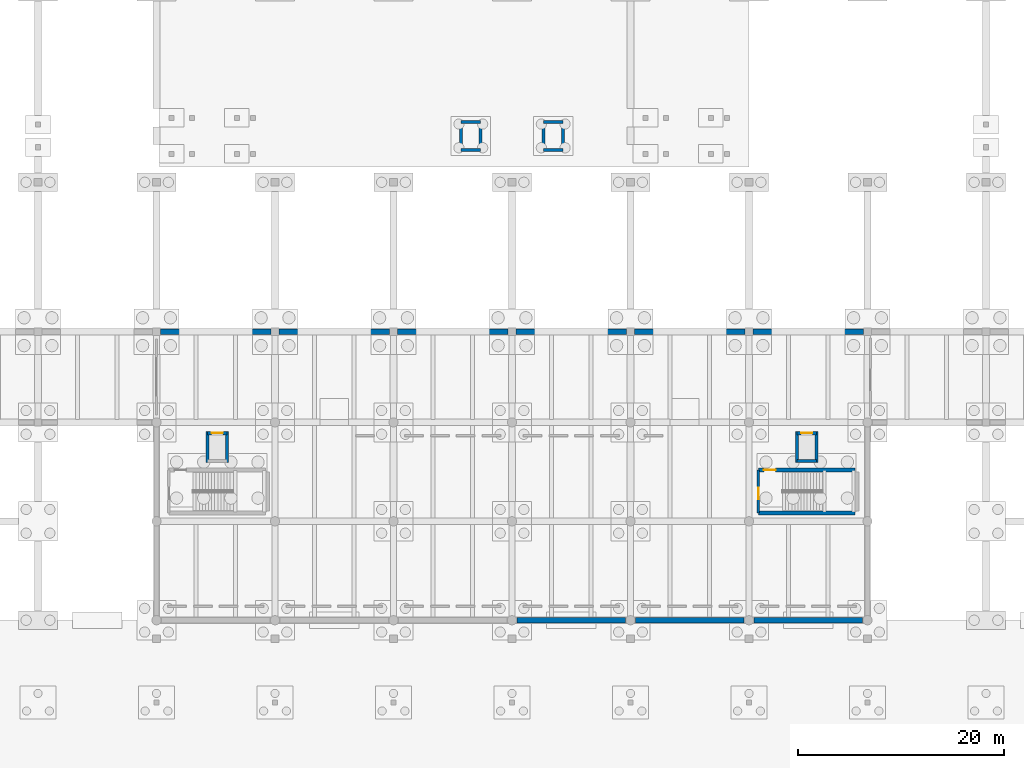
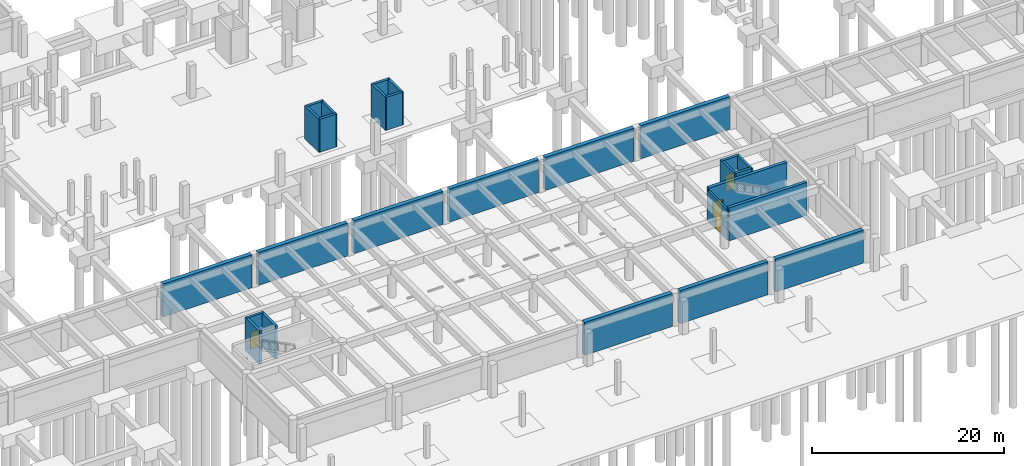
# One storey, part 18 of 28: 27 walls, 4 doors, 4 openings.
"""IFC4 building model written with IfcOpenShell, lengths in metres."""

from ifc_helpers import new_model, si_unit, direction, frame, frame_2d, origin, place, context, subcontext, project, spatial, rectangle, extrude, material, layer, layer_set, type_object, element, fill, save


model = new_model("IFC4")

# Units and contexts
model_context = context("Model", 3, precision=1e-05, world=origin(), true_north=direction((0.0, 1.0)))
body_context = subcontext(model_context, "Body", "Model", "MODEL_VIEW")
ifc_project = project(units=[si_unit("LENGTHUNIT", "METRE"), si_unit("AREAUNIT", "SQUARE_METRE"), si_unit("VOLUMEUNIT", "CUBIC_METRE"), si_unit("PLANEANGLEUNIT", "RADIAN"), si_unit("MASSUNIT", "GRAM", prefix="KILO")], contexts=[model_context])

# Site, building, storey
site_placement = place(None, origin())
site = spatial("IfcSite", under=ifc_project, at=site_placement, CompositionType="ELEMENT")
building_placement = place(site_placement, origin())
building = spatial("IfcBuilding", under=site, at=building_placement, Name="Ologun Quay Terminus", CompositionType="ELEMENT")
storey_placement = place(building_placement, frame((0.0, 0.0, -8.39990234375)))
storey = spatial("IfcBuildingStorey", under=building, at=storey_placement, Name="B02", CompositionType="ELEMENT", Elevation=-8.39990234375)

# Walls
ifc_material_1 = material(Name="Concrete C35/45", Category="concrete")
ifc_layer_1 = layer(ifc_material_1, 0.5)
ifc_layer_set_1 = layer_set([ifc_layer_1], Name="Concrete C35/45")
wall_type_1 = type_object("IfcWallType", Name="Basement Perimeter Retaining Wall 500", PredefinedType="SHEAR", material=ifc_layer_set_1)
for number, where, z_axis, x_axis, name in (
    (1, (92.469970703125, 8.0, 0.0), (0.0, 0.0, 1.0), (1.0, 0.0, 0.0), "Retaining Wall S5-9 B02"),
    (2, (103.969970703125, 8.0, 0.0), (0.0, 0.0, 1.0), (1.0, 0.0, 0.0), "Retaining Wall S5-10 B02"),
    (3, (115.469970703125, 8.0, 0.0), (0.0, 0.0, 1.0), (1.0, 0.0, 0.0), "Retaining Wall S5-11 B02"),
):
    element("IfcWall", number, at=place(storey_placement, frame(where, z_axis=z_axis, x_axis=x_axis)), inside=storey, type_object=wall_type_1, Name=name, PredefinedType="SHEAR", context=body_context, shape_type="SweptSolid", body=[
        extrude(rectangle(XDim=10.56005859375, YDim=0.5, at=frame_2d((5.280029296875, 0.0))), origin(), (0.0, 0.0, 1.0), 4.199951171875),
    ])
for number, where, z_axis, x_axis, name in (
    (4, (57.89501953125, 36.0, 0.0), (0.0, 0.0, 1.0), (1.0, 0.0, 0.0), "Retaining Wall TS-6 B02"),
    (5, (69.39501953125, 36.0, 0.0), (0.0, 0.0, 1.0), (1.0, 0.0, 0.0), "Retaining Wall TS-7 B02"),
    (6, (80.89501953125, 36.0, 0.0), (0.0, 0.0, 1.0), (1.0, 0.0, 0.0), "Retaining Wall TS-8 B02"),
    (7, (92.39501953125, 36.0, 0.0), (0.0, 0.0, 1.0), (1.0, 0.0, 0.0), "Retaining Wall TS-9 B02"),
    (8, (103.89501953125, 36.0, 0.0), (0.0, 0.0, 1.0), (1.0, 0.0, 0.0), "Retaining Wall TS-10 B02"),
    (9, (115.39501953125, 36.0, 0.0), (0.0, 0.0, 1.0), (1.0, 0.0, 0.0), "Retaining Wall TS-11 B02"),
):
    element("IfcWall", number, at=place(storey_placement, frame(where, z_axis=z_axis, x_axis=x_axis)), inside=storey, type_object=wall_type_1, Name=name, PredefinedType="SHEAR", context=body_context, shape_type="SweptSolid", body=[
        extrude(rectangle(XDim=10.7099609375, YDim=0.5, at=frame_2d((5.35498046875, 0.0))), origin(), (0.0, 0.0, 1.0), 4.199951171875),
    ])

# Wall, opening, door
ifc_material_2 = material(Name="Concrete C40/50", Category="concrete")
ifc_layer_2 = layer(ifc_material_2, 0.239990234375)
ifc_layer_set_2 = layer_set([ifc_layer_2], Name="Concrete C40/50")
wall_type_2 = type_object("IfcWallType", Name="Fire Compartment Blockwork Wall 240", PredefinedType="SOLIDWALL", material=ifc_layer_set_2)
wall_1_placement = place(storey_placement, frame((115.89990234375, 18.419921875, 0.0), z_axis=(0.0, 0.0, 1.0), x_axis=(0.0, 1.0, 0.0)))
wall_1 = element("IfcWall", 10, at=wall_1_placement, inside=storey, type_object=wall_type_2, Name="PW-01 Partition ST-S4-W", PredefinedType="SOLIDWALL", context=body_context, shape_type="SweptSolid", body=[
    extrude(rectangle(XDim=4.16015625, YDim=0.239990234375, at=frame_2d((2.080078125, 0.0))), origin(), (0.0, 0.0, 1.0), 3.89990234375),
])
opening_1_placement = place(wall_1_placement, frame((1.300048828125, 0.0, 0.0)))
opening_1 = element("IfcOpeningElement", 11, at=opening_1_placement, cuts=wall_1, Name="Opening ID-261", PredefinedType="OPENING", context=body_context, shape_type="SweptSolid", body=[
    extrude(rectangle(XDim=1.1298828125, YDim=2.14990234375, at=frame_2d((0.56494140625, 1.074951171875))), frame((0.0, 0.1298828125, 0.0), z_axis=(0.0, -1.0, 0.0), x_axis=(1.0, 0.0, 0.0)), (0.0, 0.0, 1.0), 0.260009765625),
])
ifc_material_3 = material(Name="Steel S355", Category="steel")
door_type_1 = type_object("IfcDoorType", Name="Stairwell Fire Escape Door 1130x2150", OperationType="SINGLE_SWING_LEFT", PredefinedType="DOOR", material=ifc_material_3)
door_1_placement = place(opening_1_placement, frame((0.56494140625, 0.0, 0.0), z_axis=(0.0, 0.0, 1.0), x_axis=(-1.0, 0.0, 0.0)))
door_1 = element("IfcDoor", 12, at=door_1_placement, inside=storey, type_object=door_type_1, Name="FD-01 Door ID-261", OperationType="SINGLE_SWING_LEFT", OverallHeight=2.14990234375, OverallWidth=1.1298828125, PredefinedType="DOOR", context=body_context, shape_type="SweptSolid", body=[
    extrude(rectangle(XDim=1.1298828125, YDim=2.14990234375, at=frame_2d((0.0, 1.074951171875))), frame((0.0, 0.02490234375, 0.0), z_axis=(0.0, -1.0, 0.0), x_axis=(1.0, 0.0, 0.0)), (0.0, 0.0, 1.0), 0.050048828125),
])
fill(opening_1, door_1)

ifc_material_4 = material(Name="Concrete C40/50", Category="concrete")
ifc_layer_3 = layer(ifc_material_4, 0.300048828125)
ifc_layer_set_3 = layer_set([ifc_layer_3], Name="Concrete C40/50")
wall_type_3 = type_object("IfcWallType", Name="Lift Shaft Structural Shear Wall 300", PredefinedType="SHEAR", material=ifc_layer_set_3)
wall_2_placement = place(storey_placement, frame((62.449951171875, 26.14990234375, 0.0), z_axis=(0.0, 0.0, 1.0), x_axis=(1.0, 0.0, 0.0)))
wall_2 = element("IfcWall", 13, at=wall_2_placement, inside=storey, type_object=wall_type_3, Name="Lift PL-S1 Shaft Wall N B02", PredefinedType="SHEAR", context=body_context, shape_type="SweptSolid", body=[
    extrude(rectangle(XDim=1.900146484375, YDim=0.300048828125, at=frame_2d((0.9501953125, 0.0))), origin(), (0.0, 0.0, 1.0), 4.199951171875),
])
opening_2_placement = place(wall_2_placement, frame((0.39990234375, 0.0, 0.0)))
opening_2 = element("IfcOpeningElement", 14, at=opening_2_placement, cuts=wall_2, Name="Opening ID-046", PredefinedType="OPENING", context=body_context, shape_type="SweptSolid", body=[
    extrude(rectangle(XDim=1.10009765625, YDim=2.14990234375, at=frame_2d((0.550048828125, 1.074951171875))), frame((0.0, 0.16015625, 0.0), z_axis=(0.0, -1.0, 0.0), x_axis=(1.0, 0.0, 0.0)), (0.0, 0.0, 1.0), 0.320068359375),
])
ifc_material_5 = material(Name="Steel S355", Category="steel")
door_type_2 = type_object("IfcDoorType", Name="Lift Landing Sliding Door 1100x2150", OperationType="SLIDING_TO_LEFT", PredefinedType="DOOR", material=ifc_material_5)
door_2_placement = place(opening_2_placement, origin())
door_2 = element("IfcDoor", 15, at=door_2_placement, inside=storey, type_object=door_type_2, Name="LD-01 Door ID-046", OperationType="SLIDING_TO_LEFT", OverallHeight=2.14990234375, OverallWidth=1.10009765625, PredefinedType="DOOR", context=body_context, shape_type="SweptSolid", body=[
    extrude(rectangle(XDim=1.10009765625, YDim=2.14990234375, at=frame_2d((0.550048828125, 1.074951171875))), frame((0.0, 0.02490234375, 0.0), z_axis=(0.0, -1.0, 0.0), x_axis=(1.0, 0.0, 0.0)), (0.0, 0.0, 1.0), 0.050048828125),
])
fill(opening_2, door_2)

# Walls
for number, where, z_axis, x_axis, name in (
    (16, (62.449951171875, 23.300048828125, 0.0), (0.0, 0.0, 1.0), (0.0, 1.0, 0.0), "Lift PL-S1 Shaft Wall W B02"),
    (17, (64.35009765625, 23.300048828125, 0.0), (0.0, 0.0, 1.0), (0.0, 1.0, 0.0), "Lift PL-S1 Shaft Wall E B02"),
):
    element("IfcWall", number, at=place(storey_placement, frame(where, z_axis=z_axis, x_axis=x_axis)), inside=storey, type_object=wall_type_3, Name=name, PredefinedType="SHEAR", context=body_context, shape_type="SweptSolid", body=[
        extrude(rectangle(XDim=3.0, YDim=0.300048828125, at=frame_2d((1.5, 0.0))), origin(), (0.0, 0.0, 1.0), 4.199951171875),
    ])
wall_3_placement = place(storey_placement, frame((119.64990234375, 23.449951171875, 0.0), z_axis=(0.0, 0.0, 1.0), x_axis=(1.0, 0.0, 0.0)))
element("IfcWall", 18, at=wall_3_placement, inside=storey, type_object=wall_type_3, Name="Lift PL-S2 Shaft Wall S B02", PredefinedType="SHEAR", context=body_context, shape_type="SweptSolid", body=[
    extrude(rectangle(XDim=1.900146484375, YDim=0.300048828125, at=frame_2d((0.9501953125, 0.0))), origin(), (0.0, 0.0, 1.0), 4.199951171875),
])

# Wall, opening, door
wall_4_placement = place(storey_placement, frame((119.64990234375, 26.14990234375, 0.0), z_axis=(0.0, 0.0, 1.0), x_axis=(1.0, 0.0, 0.0)))
wall_4 = element("IfcWall", 19, at=wall_4_placement, inside=storey, type_object=wall_type_3, Name="Lift PL-S2 Shaft Wall N B02", PredefinedType="SHEAR", context=body_context, shape_type="SweptSolid", body=[
    extrude(rectangle(XDim=1.900146484375, YDim=0.300048828125, at=frame_2d((0.9501953125, 0.0))), origin(), (0.0, 0.0, 1.0), 4.199951171875),
])
opening_3_placement = place(wall_4_placement, frame((0.39990234375, 0.0, 0.0)))
opening_3 = element("IfcOpeningElement", 20, at=opening_3_placement, cuts=wall_4, Name="Opening ID-052", PredefinedType="OPENING", context=body_context, shape_type="SweptSolid", body=[
    extrude(rectangle(XDim=1.10009765625, YDim=2.14990234375, at=frame_2d((0.550048828125, 1.074951171875))), frame((0.0, 0.16015625, 0.0), z_axis=(0.0, -1.0, 0.0), x_axis=(1.0, 0.0, 0.0)), (0.0, 0.0, 1.0), 0.320068359375),
])
door_3_placement = place(opening_3_placement, origin())
door_3 = element("IfcDoor", 21, at=door_3_placement, inside=storey, type_object=door_type_2, Name="LD-01 Door ID-052", OperationType="SLIDING_TO_LEFT", OverallHeight=2.14990234375, OverallWidth=1.10009765625, PredefinedType="DOOR", context=body_context, shape_type="SweptSolid", body=[
    extrude(rectangle(XDim=1.10009765625, YDim=2.14990234375, at=frame_2d((0.550048828125, 1.074951171875))), frame((0.0, 0.02490234375, 0.0), z_axis=(0.0, -1.0, 0.0), x_axis=(1.0, 0.0, 0.0)), (0.0, 0.0, 1.0), 0.050048828125),
])
fill(opening_3, door_3)

# Walls
for number, where, z_axis, x_axis, name in (
    (22, (119.64990234375, 23.300048828125, 0.0), (0.0, 0.0, 1.0), (0.0, 1.0, 0.0), "Lift PL-S2 Shaft Wall W B02"),
    (23, (121.550048828125, 23.300048828125, 0.0), (0.0, 0.0, 1.0), (0.0, 1.0, 0.0), "Lift PL-S2 Shaft Wall E B02"),
):
    element("IfcWall", number, at=place(storey_placement, frame(where, z_axis=z_axis, x_axis=x_axis)), inside=storey, type_object=wall_type_3, Name=name, PredefinedType="SHEAR", context=body_context, shape_type="SweptSolid", body=[
        extrude(rectangle(XDim=3.0, YDim=0.300048828125, at=frame_2d((1.5, 0.0))), origin(), (0.0, 0.0, 1.0), 4.199951171875),
    ])
for number, where, z_axis, x_axis, name in (
    (24, (87.050048828125, 53.64990234375, 0.0), (0.0, 0.0, 1.0), (1.0, 0.0, 0.0), "Lift PL-P1 Shaft Wall S B02"),
    (25, (87.050048828125, 56.35009765625, 0.0), (0.0, 0.0, 1.0), (1.0, 0.0, 0.0), "Lift PL-P1 Shaft Wall N B02"),
):
    element("IfcWall", number, at=place(storey_placement, frame(where, z_axis=z_axis, x_axis=x_axis)), inside=storey, type_object=wall_type_3, Name=name, PredefinedType="SHEAR", context=body_context, shape_type="SweptSolid", body=[
        extrude(rectangle(XDim=1.89990234375, YDim=0.300048828125, at=frame_2d((0.949951171875, 0.0))), origin(), (0.0, 0.0, 1.0), 4.199951171875),
    ])
for number, where, z_axis, x_axis, name in (
    (26, (87.050048828125, 53.5, 0.0), (0.0, 0.0, 1.0), (0.0, 1.0, 0.0), "Lift PL-P1 Shaft Wall W B02"),
    (27, (88.949951171875, 53.5, 0.0), (0.0, 0.0, 1.0), (0.0, 1.0, 0.0), "Lift PL-P1 Shaft Wall E B02"),
):
    element("IfcWall", number, at=place(storey_placement, frame(where, z_axis=z_axis, x_axis=x_axis)), inside=storey, type_object=wall_type_3, Name=name, PredefinedType="SHEAR", context=body_context, shape_type="SweptSolid", body=[
        extrude(rectangle(XDim=3.0, YDim=0.300048828125, at=frame_2d((1.5, 0.0))), origin(), (0.0, 0.0, 1.0), 4.199951171875),
    ])
for number, where, z_axis, x_axis, name in (
    (28, (95.050048828125, 53.64990234375, 0.0), (0.0, 0.0, 1.0), (1.0, 0.0, 0.0), "Lift PL-P2 Shaft Wall S B02"),
    (29, (95.050048828125, 56.35009765625, 0.0), (0.0, 0.0, 1.0), (1.0, 0.0, 0.0), "Lift PL-P2 Shaft Wall N B02"),
):
    element("IfcWall", number, at=place(storey_placement, frame(where, z_axis=z_axis, x_axis=x_axis)), inside=storey, type_object=wall_type_3, Name=name, PredefinedType="SHEAR", context=body_context, shape_type="SweptSolid", body=[
        extrude(rectangle(XDim=1.89990234375, YDim=0.300048828125, at=frame_2d((0.949951171875, 0.0))), origin(), (0.0, 0.0, 1.0), 4.199951171875),
    ])
for number, where, z_axis, x_axis, name in (
    (30, (95.050048828125, 53.5, 0.0), (0.0, 0.0, 1.0), (0.0, 1.0, 0.0), "Lift PL-P2 Shaft Wall W B02"),
    (31, (96.949951171875, 53.5, 0.0), (0.0, 0.0, 1.0), (0.0, 1.0, 0.0), "Lift PL-P2 Shaft Wall E B02"),
):
    element("IfcWall", number, at=place(storey_placement, frame(where, z_axis=z_axis, x_axis=x_axis)), inside=storey, type_object=wall_type_3, Name=name, PredefinedType="SHEAR", context=body_context, shape_type="SweptSolid", body=[
        extrude(rectangle(XDim=3.0, YDim=0.300048828125, at=frame_2d((1.5, 0.0))), origin(), (0.0, 0.0, 1.0), 4.199951171875),
    ])
ifc_material_6 = material(Name="Concrete C40/50", Category="concrete")
ifc_layer_4 = layer(ifc_material_6, 0.3798828125)
ifc_layer_set_4 = layer_set([ifc_layer_4], Name="Concrete C40/50")
wall_type_4 = type_object("IfcWallType", Name="Platform Spine Shear Wall 380", PredefinedType="SHEAR", material=ifc_layer_set_4)
wall_5_placement = place(storey_placement, frame((115.89990234375, 18.409912109375, 0.0), z_axis=(0.0, 0.0, 1.0), x_axis=(1.0, 0.0, 0.0)))
element("IfcWall", 32, at=wall_5_placement, inside=storey, type_object=wall_type_4, Name="Station Core 4 S Shear Wall B02", PredefinedType="SHEAR", context=body_context, shape_type="SweptSolid", body=[
    extrude(rectangle(XDim=9.400146484375, YDim=0.3798828125, at=frame_2d((4.7001953125, 0.0))), origin(), (0.0, 0.0, 1.0), 4.199951171875),
])

# Wall, opening, door
wall_6_placement = place(storey_placement, frame((115.89990234375, 22.590087890625, 0.0), z_axis=(0.0, 0.0, 1.0), x_axis=(1.0, 0.0, 0.0)))
wall_6 = element("IfcWall", 33, at=wall_6_placement, inside=storey, type_object=wall_type_4, Name="Station Core 4 N Shear Wall B02", PredefinedType="SHEAR", context=body_context, shape_type="SweptSolid", body=[
    extrude(rectangle(XDim=9.400146484375, YDim=0.3798828125, at=frame_2d((4.7001953125, 0.0))), origin(), (0.0, 0.0, 1.0), 4.199951171875),
])
opening_4_placement = place(wall_6_placement, frame((0.550048828125, 0.0, 0.0)))
opening_4 = element("IfcOpeningElement", 34, at=opening_4_placement, cuts=wall_6, Name="Opening ID-262", PredefinedType="OPENING", context=body_context, shape_type="SweptSolid", body=[
    extrude(rectangle(XDim=1.1298828125, YDim=2.14990234375, at=frame_2d((0.56494140625, 1.074951171875))), frame((0.0, 0.199951171875, 0.0), z_axis=(0.0, -1.0, 0.0), x_axis=(1.0, 0.0, 0.0)), (0.0, 0.0, 1.0), 0.39990234375),
])
door_4_placement = place(opening_4_placement, frame((0.56494140625, 0.0, 0.0), z_axis=(0.0, 0.0, 1.0), x_axis=(-1.0, 0.0, 0.0)))
door_4 = element("IfcDoor", 35, at=door_4_placement, inside=storey, type_object=door_type_1, Name="FD-01 Door ID-262", OperationType="SINGLE_SWING_LEFT", OverallHeight=2.14990234375, OverallWidth=1.1298828125, PredefinedType="DOOR", context=body_context, shape_type="SweptSolid", body=[
    extrude(rectangle(XDim=1.1298828125, YDim=2.14990234375, at=frame_2d((0.0, 1.074951171875))), frame((0.0, 0.02490234375, 0.0), z_axis=(0.0, -1.0, 0.0), x_axis=(1.0, 0.0, 0.0)), (0.0, 0.0, 1.0), 0.050048828125),
])
fill(opening_4, door_4)

save(model, "model.ifc")
